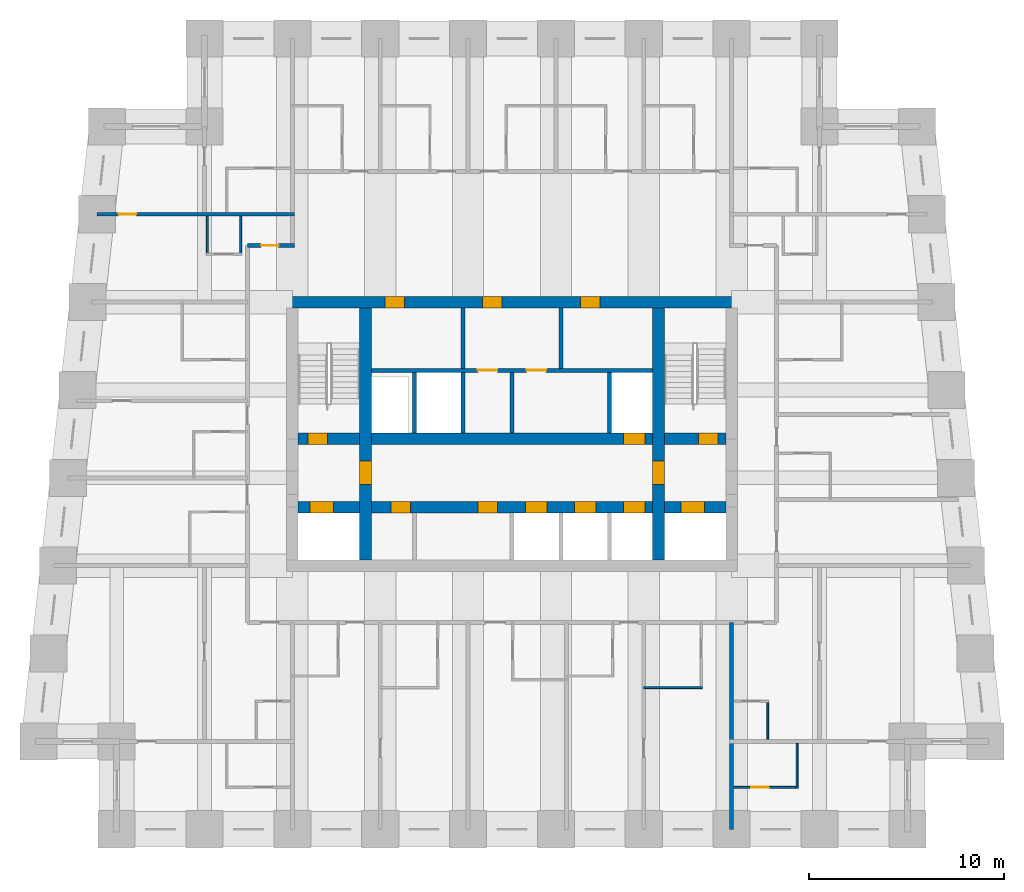
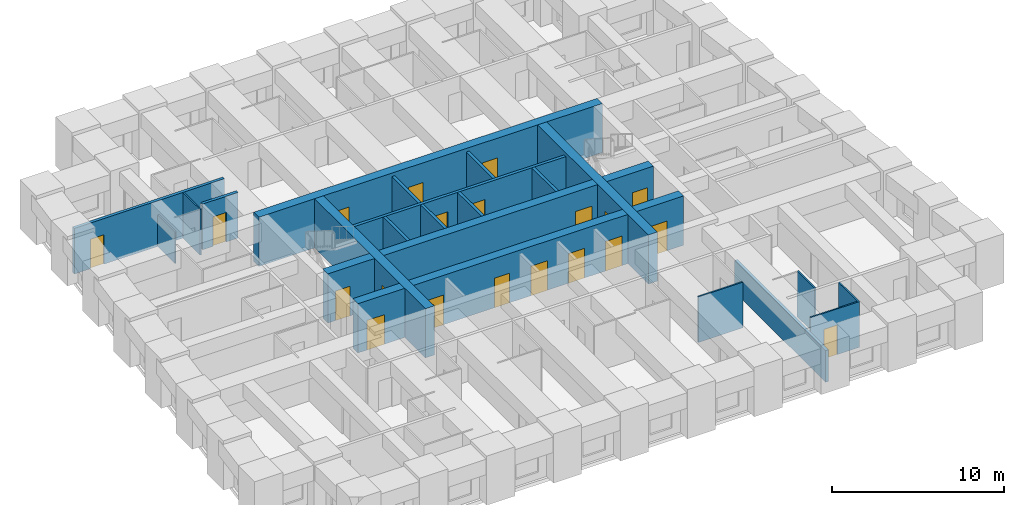
# One storey, part 4 of 8: 21 walls, 20 doors, 20 openings.
"""IFC4 building model written with IfcOpenShell, lengths in metres."""

from ifc_helpers import new_model, si_unit, direction, frame, frame_2d, origin, place, context, subcontext, project, spatial, rectangle, extrude, material, layer, layer_set, type_object, element, fill, save


model = new_model("IFC4")

# Units and contexts
model_context = context("Model", 3, precision=1e-05, world=origin(), true_north=direction((0.0, 1.0)))
body_context = subcontext(model_context, "Body", "Model", "MODEL_VIEW")
ifc_project = project(units=[si_unit("LENGTHUNIT", "METRE"), si_unit("AREAUNIT", "SQUARE_METRE"), si_unit("VOLUMEUNIT", "CUBIC_METRE"), si_unit("PLANEANGLEUNIT", "RADIAN"), si_unit("MASSUNIT", "GRAM", prefix="KILO")], contexts=[model_context])

# Site, building, storey
site_placement = place(None, origin())
site = spatial("IfcSite", under=ifc_project, at=site_placement, CompositionType="ELEMENT")
building_placement = place(site_placement, origin())
building = spatial("IfcBuilding", under=site, at=building_placement, Name="Kilele Tower Hotel", CompositionType="ELEMENT")
storey_placement = place(building_placement, frame((0.0, 0.0, 96.89990234375)))
storey = spatial("IfcBuildingStorey", under=building, at=storey_placement, Name="L24", CompositionType="ELEMENT", Elevation=96.89990234375)

# Walls
ifc_material_1 = material(Name="Moisture-resistant board")
ifc_layer_1 = layer(ifc_material_1, 0.10009765625)
ifc_layer_set_1 = layer_set([ifc_layer_1], Name="Moisture-resistant board")
wall_type_1 = type_object("IfcWallType", Name="Bathroom partition 100", PredefinedType="PLUMBINGWALL", material=ifc_layer_set_1)
wall_1_placement = place(storey_placement, frame((31.5, 7.25, 0.0), z_axis=(0.0, 0.0, 1.0), x_axis=(1.0, 0.0, 0.0)))
element("IfcWall", 1, at=wall_1_placement, inside=storey, type_object=wall_type_1, Name="Bathroom partition 100 L24", PredefinedType="PLUMBINGWALL", context=body_context, shape_type="SweptSolid", body=[
    extrude(rectangle(XDim=3.0, YDim=0.10009765625, at=frame_2d((1.5, 0.0))), origin(), (0.0, 0.0, 1.0), 3.25),
])
wall_2_placement = place(storey_placement, frame((37.85009765625, 4.60009765625, 0.0), z_axis=(0.0, 0.0, 1.0), x_axis=(0.0, 1.0, 0.0)))
element("IfcWall", 2, at=wall_2_placement, inside=storey, type_object=wall_type_1, Name="Bathroom partition 100 L24", PredefinedType="PLUMBINGWALL", context=body_context, shape_type="SweptSolid", body=[
    extrude(rectangle(XDim=2.0, YDim=0.10009765625, at=frame_2d((1.0, 0.0))), origin(), (0.0, 0.0, 1.0), 3.25),
])
wall_3_placement = place(storey_placement, frame((39.35009765625, 4.39990234375, 0.0), z_axis=(0.0, 0.0, 1.0), x_axis=(0.0, -1.0, 0.0)))
element("IfcWall", 3, at=wall_3_placement, inside=storey, type_object=wall_type_1, Name="Bathroom partition 100 L24", PredefinedType="PLUMBINGWALL", context=body_context, shape_type="SweptSolid", body=[
    extrude(rectangle(XDim=2.2998046875, YDim=0.10009765625, at=frame_2d((1.14990234375, 0.0))), origin(), (0.0, 0.0, 1.0), 3.25),
])

# Wall, opening, door
wall_4_placement = place(storey_placement, frame((36.10009765625, 2.14990234375, 0.0), z_axis=(0.0, 0.0, 1.0), x_axis=(1.0, 0.0, 0.0)))
wall_4 = element("IfcWall", 4, at=wall_4_placement, inside=storey, type_object=wall_type_1, Name="Bathroom partition 100 L24", PredefinedType="PLUMBINGWALL", context=body_context, shape_type="SweptSolid", body=[
    extrude(rectangle(XDim=3.2998046875, YDim=0.10009765625, at=frame_2d((1.64990234375, 0.0))), origin(), (0.0, 0.0, 1.0), 3.25),
])
opening_1_placement = place(wall_4_placement, frame((1.7998046875, 0.0, 0.0), z_axis=(0.0, 0.0, 1.0), x_axis=(-1.0, 0.0, 0.0)))
opening_1 = element("IfcOpeningElement", 5, at=opening_1_placement, cuts=wall_4, Name="Opening D2A", PredefinedType="OPENING", context=body_context, shape_type="SweptSolid", body=[
    extrude(rectangle(XDim=0.89990234375, YDim=2.10009765625, at=frame_2d((0.449951171875, 1.050048828125))), frame((0.0, 0.06005859375, 0.0), z_axis=(0.0, -1.0, 0.0), x_axis=(1.0, 0.0, 0.0)), (0.0, 0.0, 1.0), 0.1201171875),
])
ifc_material_2 = material(Name="Timber door leaf in hardwood frame", Category="wood")
door_type_1 = type_object("IfcDoorType", Name="Bathroom door 900", OperationType="SINGLE_SWING_LEFT", PredefinedType="DOOR", material=ifc_material_2)
door_1_placement = place(opening_1_placement, origin())
door_1 = element("IfcDoor", 6, at=door_1_placement, inside=storey, type_object=door_type_1, Name="Bathroom door 2422B", OperationType="SINGLE_SWING_RIGHT", OverallHeight=2.10009765625, OverallWidth=0.89990234375, PredefinedType="DOOR", context=body_context, shape_type="SweptSolid", body=[
    extrude(rectangle(XDim=0.89990234375, YDim=2.10009765625, at=frame_2d((0.449951171875, 1.050048828125))), frame((0.0, 0.02490234375, 0.0), z_axis=(0.0, -1.0, 0.0), x_axis=(1.0, 0.0, 0.0)), (0.0, 0.0, 1.0), 0.050048828125),
])
fill(opening_1, door_1)

# Walls
wall_5_placement = place(storey_placement, frame((9.14990234375, 31.39990234375, 0.0), z_axis=(0.0, 0.0, 1.0), x_axis=(0.0, -1.0, 0.0)))
element("IfcWall", 7, at=wall_5_placement, inside=storey, type_object=wall_type_1, Name="Bathroom partition 100 L24", PredefinedType="PLUMBINGWALL", context=body_context, shape_type="SweptSolid", body=[
    extrude(rectangle(XDim=2.0, YDim=0.10009765625, at=frame_2d((1.0, 0.0))), origin(), (0.0, 0.0, 1.0), 2.25),
])
wall_6_placement = place(storey_placement, frame((10.85009765625, 31.39990234375, 0.0), z_axis=(0.0, 0.0, 1.0), x_axis=(0.0, -1.0, 0.0)))
element("IfcWall", 8, at=wall_6_placement, inside=storey, type_object=wall_type_1, Name="Bathroom partition 100 L24", PredefinedType="PLUMBINGWALL", context=body_context, shape_type="SweptSolid", body=[
    extrude(rectangle(XDim=2.0, YDim=0.10009765625, at=frame_2d((1.0, 0.0))), origin(), (0.0, 0.0, 1.0), 3.25),
])

# Wall, openings, doors
ifc_material_3 = material(Name="Concrete C60/75", Category="concrete")
ifc_layer_2 = layer(ifc_material_3, 0.60009765625)
ifc_layer_set_2 = layer_set([ifc_layer_2], Name="Concrete C60/75")
wall_type_2 = type_object("IfcWallType", Name="Core wall 600 C60/75", PredefinedType="SHEAR", material=ifc_layer_set_2)
wall_7_placement = place(storey_placement, frame((36.300048828125, 27.0, 0.0), z_axis=(0.0, 0.0, 1.0), x_axis=(-1.0, 0.0, 0.0)))
wall_7 = element("IfcWall", 9, at=wall_7_placement, inside=storey, type_object=wall_type_2, Name="Core wall N L24", PredefinedType="SHEAR", context=body_context, shape_type="SweptSolid", body=[
    extrude(rectangle(XDim=23.10009765625, YDim=0.60009765625, at=frame_2d((11.550048828125, 0.0))), origin(), (0.0, 0.0, 1.0), 3.5),
])
opening_2_placement = place(wall_7_placement, frame((17.050048828125, 0.0, 0.0)))
opening_2 = element("IfcOpeningElement", 10, at=opening_2_placement, cuts=wall_7, Name="Opening D6", PredefinedType="OPENING", context=body_context, shape_type="SweptSolid", body=[
    extrude(rectangle(XDim=1.0, YDim=2.10009765625, at=frame_2d((0.5, 1.050048828125))), frame((0.0, 0.31005859375, 0.0), z_axis=(0.0, -1.0, 0.0), x_axis=(1.0, 0.0, 0.0)), (0.0, 0.0, 1.0), 0.6201171875),
])
opening_3_placement = place(wall_7_placement, frame((12.050048828125, 0.0, 0.0)))
opening_3 = element("IfcOpeningElement", 11, at=opening_3_placement, cuts=wall_7, Name="Opening D6", PredefinedType="OPENING", context=body_context, shape_type="SweptSolid", body=[
    extrude(rectangle(XDim=1.0, YDim=2.10009765625, at=frame_2d((0.5, 1.050048828125))), frame((0.0, 0.31005859375, 0.0), z_axis=(0.0, -1.0, 0.0), x_axis=(1.0, 0.0, 0.0)), (0.0, 0.0, 1.0), 0.6201171875),
])
opening_4_placement = place(wall_7_placement, frame((7.050048828125, 0.0, 0.0)))
opening_4 = element("IfcOpeningElement", 12, at=opening_4_placement, cuts=wall_7, Name="Opening D6", PredefinedType="OPENING", context=body_context, shape_type="SweptSolid", body=[
    extrude(rectangle(XDim=1.0, YDim=2.10009765625, at=frame_2d((0.5, 1.050048828125))), frame((0.0, 0.31005859375, 0.0), z_axis=(0.0, -1.0, 0.0), x_axis=(1.0, 0.0, 0.0)), (0.0, 0.0, 1.0), 0.6201171875),
])
ifc_material_4 = material(Name="Timber door leaf in hardwood frame", Category="wood")
door_type_2 = type_object("IfcDoorType", Name="Riser door 1000", OperationType="SINGLE_SWING_LEFT", PredefinedType="DOOR", material=ifc_material_4)
door_2_placement = place(opening_2_placement, origin())
door_2 = element("IfcDoor", 13, at=door_2_placement, inside=storey, type_object=door_type_2, Name="Service riser door L24", OperationType="SINGLE_SWING_RIGHT", OverallHeight=2.10009765625, OverallWidth=1.0, PredefinedType="DOOR", context=body_context, shape_type="SweptSolid", body=[
    extrude(rectangle(XDim=1.0, YDim=2.10009765625, at=frame_2d((0.5, 1.050048828125))), frame((0.0, 0.2998046875, 0.0), z_axis=(0.0, -1.0, 0.0), x_axis=(1.0, 0.0, 0.0)), (0.0, 0.0, 1.0), 0.599609375),
])
fill(opening_2, door_2)
door_3_placement = place(opening_3_placement, origin())
door_3 = element("IfcDoor", 14, at=door_3_placement, inside=storey, type_object=door_type_2, Name="Housekeeping store door L24", OperationType="SINGLE_SWING_RIGHT", OverallHeight=2.10009765625, OverallWidth=1.0, PredefinedType="DOOR", context=body_context, shape_type="SweptSolid", body=[
    extrude(rectangle(XDim=1.0, YDim=2.10009765625, at=frame_2d((0.5, 1.050048828125))), frame((0.0, 0.2998046875, 0.0), z_axis=(0.0, -1.0, 0.0), x_axis=(1.0, 0.0, 0.0)), (0.0, 0.0, 1.0), 0.599609375),
])
fill(opening_3, door_3)
door_4_placement = place(opening_4_placement, origin())
door_4 = element("IfcDoor", 15, at=door_4_placement, inside=storey, type_object=door_type_2, Name="Electrical riser door L24", OperationType="SINGLE_SWING_RIGHT", OverallHeight=2.10009765625, OverallWidth=1.0, PredefinedType="DOOR", context=body_context, shape_type="SweptSolid", body=[
    extrude(rectangle(XDim=1.0, YDim=2.10009765625, at=frame_2d((0.5, 1.050048828125))), frame((0.0, 0.2998046875, 0.0), z_axis=(0.0, -1.0, 0.0), x_axis=(1.0, 0.0, 0.0)), (0.0, 0.0, 1.0), 0.599609375),
])
fill(opening_4, door_4)

# Wall, opening, door
wall_8_placement = place(storey_placement, frame((17.25, 13.800048828125, 0.0), z_axis=(0.0, 0.0, 1.0), x_axis=(0.0, 1.0, 0.0)))
wall_8 = element("IfcWall", 16, at=wall_8_placement, inside=storey, type_object=wall_type_2, Name="Core wall IW L24", PredefinedType="SHEAR", context=body_context, shape_type="SweptSolid", body=[
    extrude(rectangle(XDim=12.89990234375, YDim=0.60009765625, at=frame_2d((6.449951171875, 0.0))), origin(), (0.0, 0.0, 1.0), 3.5),
])
opening_5_placement = place(wall_8_placement, frame((3.85009765625, 0.0, 0.0)))
opening_5 = element("IfcOpeningElement", 17, at=opening_5_placement, cuts=wall_8, Name="Opening D4", PredefinedType="OPENING", context=body_context, shape_type="SweptSolid", body=[
    extrude(rectangle(XDim=1.199951171875, YDim=2.10009765625, at=frame_2d((0.60009765625, 1.050048828125))), frame((0.0, 0.31005859375, 0.0), z_axis=(0.0, -1.0, 0.0), x_axis=(1.0, 0.0, 0.0)), (0.0, 0.0, 1.0), 0.6201171875),
])
ifc_material_5 = material(Name="Timber door leaf in hardwood frame", Category="wood")
door_type_3 = type_object("IfcDoorType", Name="Firefighting lobby door 1200", OperationType="SINGLE_SWING_LEFT", PredefinedType="DOOR", material=ifc_material_5)
door_5_placement = place(opening_5_placement, origin())
door_5 = element("IfcDoor", 18, at=door_5_placement, inside=storey, type_object=door_type_3, Name="Lobby door L24", OperationType="SINGLE_SWING_LEFT", OverallHeight=2.10009765625, OverallWidth=1.199951171875, PredefinedType="DOOR", context=body_context, shape_type="SweptSolid", body=[
    extrude(rectangle(XDim=1.199951171875, YDim=2.10009765625, at=frame_2d((0.60009765625, 1.050048828125))), frame((0.0, 0.2998046875, 0.0), z_axis=(0.0, -1.0, 0.0), x_axis=(1.0, 0.0, 0.0)), (0.0, 0.0, 1.0), 0.599609375),
])
fill(opening_5, door_5)

wall_9_placement = place(storey_placement, frame((32.25, 13.800048828125, 0.0), z_axis=(0.0, 0.0, 1.0), x_axis=(0.0, 1.0, 0.0)))
wall_9 = element("IfcWall", 19, at=wall_9_placement, inside=storey, type_object=wall_type_2, Name="Core wall IE L24", PredefinedType="SHEAR", context=body_context, shape_type="SweptSolid", body=[
    extrude(rectangle(XDim=12.89990234375, YDim=0.60009765625, at=frame_2d((6.449951171875, 0.0))), origin(), (0.0, 0.0, 1.0), 3.5),
])
opening_6_placement = place(wall_9_placement, frame((5.050048828125, 0.0, 0.0), z_axis=(0.0, 0.0, 1.0), x_axis=(-1.0, 0.0, 0.0)))
opening_6 = element("IfcOpeningElement", 20, at=opening_6_placement, cuts=wall_9, Name="Opening D4", PredefinedType="OPENING", context=body_context, shape_type="SweptSolid", body=[
    extrude(rectangle(XDim=1.199951171875, YDim=2.10009765625, at=frame_2d((0.60009765625, 1.050048828125))), frame((0.0, 0.31005859375, 0.0), z_axis=(0.0, -1.0, 0.0), x_axis=(1.0, 0.0, 0.0)), (0.0, 0.0, 1.0), 0.6201171875),
])
door_6_placement = place(opening_6_placement, origin())
door_6 = element("IfcDoor", 21, at=door_6_placement, inside=storey, type_object=door_type_3, Name="Lobby door L24", OperationType="SINGLE_SWING_RIGHT", OverallHeight=2.10009765625, OverallWidth=1.199951171875, PredefinedType="DOOR", context=body_context, shape_type="SweptSolid", body=[
    extrude(rectangle(XDim=1.199951171875, YDim=2.10009765625, at=frame_2d((0.60009765625, 1.050048828125))), frame((0.0, 0.2998046875, 0.0), z_axis=(0.0, -1.0, 0.0), x_axis=(1.0, 0.0, 0.0)), (0.0, 0.0, 1.0), 0.599609375),
])
fill(opening_6, door_6)

# Wall, openings, doors
wall_10_placement = place(storey_placement, frame((13.800048828125, 16.5, 0.0), z_axis=(0.0, 0.0, 1.0), x_axis=(1.0, 0.0, 0.0)))
wall_10 = element("IfcWall", 22, at=wall_10_placement, inside=storey, type_object=wall_type_2, Name="Core wall LS L24", PredefinedType="SHEAR", context=body_context, shape_type="SweptSolid", body=[
    extrude(rectangle(XDim=21.89990234375, YDim=0.60009765625, at=frame_2d((10.949951171875, 0.0))), origin(), (0.0, 0.0, 1.0), 3.5),
])
opening_7_placement = place(wall_10_placement, frame((11.64990234375, 0.0, 0.0)))
opening_7 = element("IfcOpeningElement", 23, at=opening_7_placement, cuts=wall_10, Name="Opening LD1", PredefinedType="OPENING", context=body_context, shape_type="SweptSolid", body=[
    extrude(rectangle(XDim=1.10009765625, YDim=2.10009765625, at=frame_2d((0.550048828125, 1.050048828125))), frame((0.0, 0.31005859375, 0.0), z_axis=(0.0, -1.0, 0.0), x_axis=(1.0, 0.0, 0.0)), (0.0, 0.0, 1.0), 0.6201171875),
])
opening_8_placement = place(wall_10_placement, frame((14.14990234375, 0.0, 0.0)))
opening_8 = element("IfcOpeningElement", 24, at=opening_8_placement, cuts=wall_10, Name="Opening LD1", PredefinedType="OPENING", context=body_context, shape_type="SweptSolid", body=[
    extrude(rectangle(XDim=1.10009765625, YDim=2.10009765625, at=frame_2d((0.550048828125, 1.050048828125))), frame((0.0, 0.31005859375, 0.0), z_axis=(0.0, -1.0, 0.0), x_axis=(1.0, 0.0, 0.0)), (0.0, 0.0, 1.0), 0.6201171875),
])
opening_9_placement = place(wall_10_placement, frame((16.64990234375, 0.0, 0.0)))
opening_9 = element("IfcOpeningElement", 25, at=opening_9_placement, cuts=wall_10, Name="Opening LD1", PredefinedType="OPENING", context=body_context, shape_type="SweptSolid", body=[
    extrude(rectangle(XDim=1.10009765625, YDim=2.10009765625, at=frame_2d((0.550048828125, 1.050048828125))), frame((0.0, 0.31005859375, 0.0), z_axis=(0.0, -1.0, 0.0), x_axis=(1.0, 0.0, 0.0)), (0.0, 0.0, 1.0), 0.6201171875),
])
opening_10_placement = place(wall_10_placement, frame((5.75, 0.0, 0.0), z_axis=(0.0, 0.0, 1.0), x_axis=(-1.0, 0.0, 0.0)))
opening_10 = element("IfcOpeningElement", 26, at=opening_10_placement, cuts=wall_10, Name="Opening D11", PredefinedType="OPENING", context=body_context, shape_type="SweptSolid", body=[
    extrude(rectangle(XDim=1.0, YDim=2.10009765625, at=frame_2d((0.5, 1.050048828125))), frame((0.0, 0.31005859375, 0.0), z_axis=(0.0, -1.0, 0.0), x_axis=(1.0, 0.0, 0.0)), (0.0, 0.0, 1.0), 0.6201171875),
])
opening_11_placement = place(wall_10_placement, frame((10.199951171875, 0.0, 0.0), z_axis=(0.0, 0.0, 1.0), x_axis=(-1.0, 0.0, 0.0)))
opening_11 = element("IfcOpeningElement", 27, at=opening_11_placement, cuts=wall_10, Name="Opening D11", PredefinedType="OPENING", context=body_context, shape_type="SweptSolid", body=[
    extrude(rectangle(XDim=1.0, YDim=2.10009765625, at=frame_2d((0.5, 1.050048828125))), frame((0.0, 0.31005859375, 0.0), z_axis=(0.0, -1.0, 0.0), x_axis=(1.0, 0.0, 0.0)), (0.0, 0.0, 1.0), 0.6201171875),
])
opening_12_placement = place(wall_10_placement, frame((0.60009765625, 0.0, 0.0)))
opening_12 = element("IfcOpeningElement", 28, at=opening_12_placement, cuts=wall_10, Name="Opening LD2", PredefinedType="OPENING", context=body_context, shape_type="SweptSolid", body=[
    extrude(rectangle(XDim=1.199951171875, YDim=2.10009765625, at=frame_2d((0.60009765625, 1.050048828125))), frame((0.0, 0.31005859375, 0.0), z_axis=(0.0, -1.0, 0.0), x_axis=(1.0, 0.0, 0.0)), (0.0, 0.0, 1.0), 0.6201171875),
])
opening_13_placement = place(wall_10_placement, frame((19.60009765625, 0.0, 0.0)))
opening_13 = element("IfcOpeningElement", 29, at=opening_13_placement, cuts=wall_10, Name="Opening LD2", PredefinedType="OPENING", context=body_context, shape_type="SweptSolid", body=[
    extrude(rectangle(XDim=1.199951171875, YDim=2.10009765625, at=frame_2d((0.60009765625, 1.050048828125))), frame((0.0, 0.31005859375, 0.0), z_axis=(0.0, -1.0, 0.0), x_axis=(1.0, 0.0, 0.0)), (0.0, 0.0, 1.0), 0.6201171875),
])
ifc_material_6 = material(Name="Timber door leaf in hardwood frame", Category="wood")
door_type_4 = type_object("IfcDoorType", Name="Core store door 1000", OperationType="SINGLE_SWING_LEFT", PredefinedType="DOOR", material=ifc_material_6)
door_7_placement = place(opening_10_placement, origin())
door_7 = element("IfcDoor", 30, at=door_7_placement, inside=storey, type_object=door_type_4, Name="Core room door L1 L24", OperationType="SINGLE_SWING_LEFT", OverallHeight=2.10009765625, OverallWidth=1.0, PredefinedType="DOOR", context=body_context, shape_type="SweptSolid", body=[
    extrude(rectangle(XDim=1.0, YDim=2.10009765625, at=frame_2d((0.5, 1.050048828125))), frame((0.0, 0.2998046875, 0.0), z_axis=(0.0, -1.0, 0.0), x_axis=(1.0, 0.0, 0.0)), (0.0, 0.0, 1.0), 0.599609375),
])
fill(opening_10, door_7)
door_8_placement = place(opening_11_placement, origin())
door_8 = element("IfcDoor", 31, at=door_8_placement, inside=storey, type_object=door_type_4, Name="Core room door L3 L24", OperationType="SINGLE_SWING_LEFT", OverallHeight=2.10009765625, OverallWidth=1.0, PredefinedType="DOOR", context=body_context, shape_type="SweptSolid", body=[
    extrude(rectangle(XDim=1.0, YDim=2.10009765625, at=frame_2d((0.5, 1.050048828125))), frame((0.0, 0.2998046875, 0.0), z_axis=(0.0, -1.0, 0.0), x_axis=(1.0, 0.0, 0.0)), (0.0, 0.0, 1.0), 0.599609375),
])
fill(opening_11, door_8)
ifc_material_7 = material(Name="Steel lift landing door", Category="steel")
door_type_5 = type_object("IfcDoorType", Name="Firefighting lift landing door 1200", OperationType="SLIDING_TO_LEFT", PredefinedType="DOOR", material=ifc_material_7)
door_9_placement = place(opening_12_placement, origin())
door_9 = element("IfcDoor", 32, at=door_9_placement, inside=storey, type_object=door_type_5, Name="Landing door FFW L24", OperationType="SLIDING_TO_LEFT", OverallHeight=2.10009765625, OverallWidth=1.199951171875, PredefinedType="DOOR", context=body_context, shape_type="SweptSolid", body=[
    extrude(rectangle(XDim=1.199951171875, YDim=2.10009765625, at=frame_2d((0.60009765625, 1.050048828125))), frame((0.0, 0.2998046875, 0.0), z_axis=(0.0, -1.0, 0.0), x_axis=(1.0, 0.0, 0.0)), (0.0, 0.0, 1.0), 0.599609375),
])
fill(opening_12, door_9)
door_10_placement = place(opening_13_placement, origin())
door_10 = element("IfcDoor", 33, at=door_10_placement, inside=storey, type_object=door_type_5, Name="Landing door FFE L24", OperationType="SLIDING_TO_LEFT", OverallHeight=2.10009765625, OverallWidth=1.199951171875, PredefinedType="DOOR", context=body_context, shape_type="SweptSolid", body=[
    extrude(rectangle(XDim=1.199951171875, YDim=2.10009765625, at=frame_2d((0.60009765625, 1.050048828125))), frame((0.0, 0.2998046875, 0.0), z_axis=(0.0, -1.0, 0.0), x_axis=(1.0, 0.0, 0.0)), (0.0, 0.0, 1.0), 0.599609375),
])
fill(opening_13, door_10)
ifc_material_8 = material(Name="Steel lift landing door", Category="steel")
door_type_6 = type_object("IfcDoorType", Name="Lift landing door 1100", OperationType="SLIDING_TO_LEFT", PredefinedType="DOOR", material=ifc_material_8)
door_11_placement = place(opening_7_placement, origin())
door_11 = element("IfcDoor", 34, at=door_11_placement, inside=storey, type_object=door_type_6, Name="Landing door M1 L24", OperationType="SLIDING_TO_LEFT", OverallHeight=2.10009765625, OverallWidth=1.10009765625, PredefinedType="DOOR", context=body_context, shape_type="SweptSolid", body=[
    extrude(rectangle(XDim=1.10009765625, YDim=2.10009765625, at=frame_2d((0.550048828125, 1.050048828125))), frame((0.0, 0.2998046875, 0.0), z_axis=(0.0, -1.0, 0.0), x_axis=(1.0, 0.0, 0.0)), (0.0, 0.0, 1.0), 0.599609375),
])
fill(opening_7, door_11)
door_12_placement = place(opening_8_placement, origin())
door_12 = element("IfcDoor", 35, at=door_12_placement, inside=storey, type_object=door_type_6, Name="Landing door M2 L24", OperationType="SLIDING_TO_LEFT", OverallHeight=2.10009765625, OverallWidth=1.10009765625, PredefinedType="DOOR", context=body_context, shape_type="SweptSolid", body=[
    extrude(rectangle(XDim=1.10009765625, YDim=2.10009765625, at=frame_2d((0.550048828125, 1.050048828125))), frame((0.0, 0.2998046875, 0.0), z_axis=(0.0, -1.0, 0.0), x_axis=(1.0, 0.0, 0.0)), (0.0, 0.0, 1.0), 0.599609375),
])
fill(opening_8, door_12)
door_13_placement = place(opening_9_placement, origin())
door_13 = element("IfcDoor", 36, at=door_13_placement, inside=storey, type_object=door_type_6, Name="Landing door M3 L24", OperationType="SLIDING_TO_LEFT", OverallHeight=2.10009765625, OverallWidth=1.10009765625, PredefinedType="DOOR", context=body_context, shape_type="SweptSolid", body=[
    extrude(rectangle(XDim=1.10009765625, YDim=2.10009765625, at=frame_2d((0.550048828125, 1.050048828125))), frame((0.0, 0.2998046875, 0.0), z_axis=(0.0, -1.0, 0.0), x_axis=(1.0, 0.0, 0.0)), (0.0, 0.0, 1.0), 0.599609375),
])
fill(opening_9, door_13)

wall_11_placement = place(storey_placement, frame((13.800048828125, 20.0, 0.0), z_axis=(0.0, 0.0, 1.0), x_axis=(1.0, 0.0, 0.0)))
wall_11 = element("IfcWall", 37, at=wall_11_placement, inside=storey, type_object=wall_type_2, Name="Core wall LN L24", PredefinedType="SHEAR", context=body_context, shape_type="SweptSolid", body=[
    extrude(rectangle(XDim=21.89990234375, YDim=0.60009765625, at=frame_2d((10.949951171875, 0.0))), origin(), (0.0, 0.0, 1.0), 3.5),
])
opening_14_placement = place(wall_11_placement, frame((0.5, 0.0, 0.0)))
opening_14 = element("IfcOpeningElement", 38, at=opening_14_placement, cuts=wall_11, Name="Opening D5", PredefinedType="OPENING", context=body_context, shape_type="SweptSolid", body=[
    extrude(rectangle(XDim=1.0, YDim=2.10009765625, at=frame_2d((0.5, 1.050048828125))), frame((0.0, 0.31005859375, 0.0), z_axis=(0.0, -1.0, 0.0), x_axis=(1.0, 0.0, 0.0)), (0.0, 0.0, 1.0), 0.6201171875),
])
opening_15_placement = place(wall_11_placement, frame((20.5, 0.0, 0.0)))
opening_15 = element("IfcOpeningElement", 39, at=opening_15_placement, cuts=wall_11, Name="Opening D5", PredefinedType="OPENING", context=body_context, shape_type="SweptSolid", body=[
    extrude(rectangle(XDim=1.0, YDim=2.10009765625, at=frame_2d((0.5, 1.050048828125))), frame((0.0, 0.31005859375, 0.0), z_axis=(0.0, -1.0, 0.0), x_axis=(1.0, 0.0, 0.0)), (0.0, 0.0, 1.0), 0.6201171875),
])
opening_16_placement = place(wall_11_placement, frame((16.64990234375, 0.0, 0.0)))
opening_16 = element("IfcOpeningElement", 40, at=opening_16_placement, cuts=wall_11, Name="Opening LD1", PredefinedType="OPENING", context=body_context, shape_type="SweptSolid", body=[
    extrude(rectangle(XDim=1.10009765625, YDim=2.10009765625, at=frame_2d((0.550048828125, 1.050048828125))), frame((0.0, 0.31005859375, 0.0), z_axis=(0.0, -1.0, 0.0), x_axis=(1.0, 0.0, 0.0)), (0.0, 0.0, 1.0), 0.6201171875),
])
door_14_placement = place(opening_16_placement, origin())
door_14 = element("IfcDoor", 41, at=door_14_placement, inside=storey, type_object=door_type_6, Name="Landing door G1 L24", OperationType="SLIDING_TO_LEFT", OverallHeight=2.10009765625, OverallWidth=1.10009765625, PredefinedType="DOOR", context=body_context, shape_type="SweptSolid", body=[
    extrude(rectangle(XDim=1.10009765625, YDim=2.10009765625, at=frame_2d((0.550048828125, 1.050048828125))), frame((0.0, 0.2998046875, 0.0), z_axis=(0.0, -1.0, 0.0), x_axis=(1.0, 0.0, 0.0)), (0.0, 0.0, 1.0), 0.599609375),
])
fill(opening_16, door_14)
ifc_material_9 = material(Name="Timber door leaf in hardwood frame", Category="wood")
door_type_7 = type_object("IfcDoorType", Name="Stair door 1000", OperationType="SINGLE_SWING_LEFT", PredefinedType="DOOR", material=ifc_material_9)
door_15_placement = place(opening_14_placement, origin())
door_15 = element("IfcDoor", 42, at=door_15_placement, inside=storey, type_object=door_type_7, Name="Stair 1 door L24", OperationType="SINGLE_SWING_LEFT", OverallHeight=2.10009765625, OverallWidth=1.0, PredefinedType="DOOR", context=body_context, shape_type="SweptSolid", body=[
    extrude(rectangle(XDim=1.0, YDim=2.10009765625, at=frame_2d((0.5, 1.050048828125))), frame((0.0, 0.2998046875, 0.0), z_axis=(0.0, -1.0, 0.0), x_axis=(1.0, 0.0, 0.0)), (0.0, 0.0, 1.0), 0.599609375),
])
fill(opening_14, door_15)
door_16_placement = place(opening_15_placement, origin())
door_16 = element("IfcDoor", 43, at=door_16_placement, inside=storey, type_object=door_type_7, Name="Stair 2 door L24", OperationType="SINGLE_SWING_RIGHT", OverallHeight=2.10009765625, OverallWidth=1.0, PredefinedType="DOOR", context=body_context, shape_type="SweptSolid", body=[
    extrude(rectangle(XDim=1.0, YDim=2.10009765625, at=frame_2d((0.5, 1.050048828125))), frame((0.0, 0.2998046875, 0.0), z_axis=(0.0, -1.0, 0.0), x_axis=(1.0, 0.0, 0.0)), (0.0, 0.0, 1.0), 0.599609375),
])
fill(opening_15, door_16)

# Wall, opening, door
ifc_material_10 = material(Name="Blockwork, plastered both sides", Category="masonry")
ifc_layer_3 = layer(ifc_material_10, 0.199951171875)
ifc_layer_set_3 = layer_set([ifc_layer_3], Name="Blockwork, plastered both sides")
wall_type_3 = type_object("IfcWallType", Name="Corridor wall 200", PredefinedType="PARTITIONING", material=ifc_layer_set_3)
wall_12_placement = place(storey_placement, frame((11.199951171875, 29.89990234375, 0.0), z_axis=(0.0, 0.0, 1.0), x_axis=(1.0, 0.0, 0.0)))
wall_12 = element("IfcWall", 44, at=wall_12_placement, inside=storey, type_object=wall_type_3, Name="Corridor wall 200 L24", PredefinedType="PARTITIONING", context=body_context, shape_type="SweptSolid", body=[
    extrude(rectangle(XDim=2.400146484375, YDim=0.199951171875, at=frame_2d((1.2001953125, 0.0))), origin(), (0.0, 0.0, 1.0), 3.25),
])
opening_17_placement = place(wall_12_placement, frame((0.699951171875, 0.0, 0.0)))
opening_17 = element("IfcOpeningElement", 45, at=opening_17_placement, cuts=wall_12, Name="Opening D1", PredefinedType="OPENING", context=body_context, shape_type="SweptSolid", body=[
    extrude(rectangle(XDim=0.89990234375, YDim=2.10009765625, at=frame_2d((0.449951171875, 1.050048828125))), frame((0.0, 0.10986328125, 0.0), z_axis=(0.0, -1.0, 0.0), x_axis=(1.0, 0.0, 0.0)), (0.0, 0.0, 1.0), 0.219970703125),
])
ifc_material_11 = material(Name="Timber door leaf in hardwood frame", Category="wood")
door_type_8 = type_object("IfcDoorType", Name="Guest room entrance door 900", OperationType="SINGLE_SWING_LEFT", PredefinedType="DOOR", material=ifc_material_11)
door_17_placement = place(opening_17_placement, origin())
door_17 = element("IfcDoor", 46, at=door_17_placement, inside=storey, type_object=door_type_8, Name="Room entrance 2426", OperationType="SINGLE_SWING_RIGHT", OverallHeight=2.10009765625, OverallWidth=0.89990234375, PredefinedType="DOOR", context=body_context, shape_type="SweptSolid", body=[
    extrude(rectangle(XDim=0.89990234375, YDim=2.10009765625, at=frame_2d((0.449951171875, 1.050048828125))), frame((0.0, 0.02490234375, 0.0), z_axis=(0.0, -1.0, 0.0), x_axis=(1.0, 0.0, 0.0)), (0.0, 0.0, 1.0), 0.050048828125),
])
fill(opening_17, door_17)

# Wall
ifc_material_12 = material(Name="Blockwork, plastered both sides", Category="masonry")
ifc_layer_4 = layer(ifc_material_12, 0.199951171875)
ifc_layer_set_4 = layer_set([ifc_layer_4], Name="Blockwork, plastered both sides")
wall_type_4 = type_object("IfcWallType", Name="Party wall 200", PredefinedType="PARTITIONING", material=ifc_layer_set_4)
wall_13_placement = place(storey_placement, frame((36.0, 10.60009765625, 0.0), z_axis=(0.0, 0.0, 1.0), x_axis=(0.0, -1.0, 0.0)))
element("IfcWall", 47, at=wall_13_placement, inside=storey, type_object=wall_type_4, Name="Party wall 200 L24", PredefinedType="PARTITIONING", context=body_context, shape_type="SweptSolid", body=[
    extrude(rectangle(XDim=10.60009765625, YDim=0.199951171875, at=frame_2d((5.300048828125, 0.0))), origin(), (0.0, 0.0, 1.0), 2.25),
])

# Wall, opening, door
wall_14_placement = place(storey_placement, frame((13.60009765625, 31.5, 0.0), z_axis=(0.0, 0.0, 1.0), x_axis=(-1.0, 0.0, 0.0)))
wall_14 = element("IfcWall", 48, at=wall_14_placement, inside=storey, type_object=wall_type_4, Name="Party wall 200 L24", PredefinedType="PARTITIONING", context=body_context, shape_type="SweptSolid", body=[
    extrude(rectangle(XDim=10.09912109375, YDim=0.199951171875, at=frame_2d((5.049560546875, 0.0))), origin(), (0.0, 0.0, 1.0), 3.25),
])
opening_18_placement = place(wall_14_placement, frame((8.9990234375, 0.0, 0.0), z_axis=(0.0, 0.0, 1.0), x_axis=(-1.0, 0.0, 0.0)))
opening_18 = element("IfcOpeningElement", 49, at=opening_18_placement, cuts=wall_14, Name="Opening D3", PredefinedType="OPENING", context=body_context, shape_type="SweptSolid", body=[
    extrude(rectangle(XDim=0.89990234375, YDim=2.10009765625, at=frame_2d((0.449951171875, 1.050048828125))), frame((0.0, 0.10986328125, 0.0), z_axis=(0.0, -1.0, 0.0), x_axis=(1.0, 0.0, 0.0)), (0.0, 0.0, 1.0), 0.219970703125),
])
ifc_material_13 = material(Name="Timber door leaf in hardwood frame", Category="wood")
door_type_9 = type_object("IfcDoorType", Name="Suite internal door 900", OperationType="SINGLE_SWING_LEFT", PredefinedType="DOOR", material=ifc_material_13)
door_18_placement = place(opening_18_placement, origin())
door_18 = element("IfcDoor", 50, at=door_18_placement, inside=storey, type_object=door_type_9, Name="Suite door 2427", OperationType="SINGLE_SWING_LEFT", OverallHeight=2.10009765625, OverallWidth=0.89990234375, PredefinedType="DOOR", context=body_context, shape_type="SweptSolid", body=[
    extrude(rectangle(XDim=0.89990234375, YDim=2.10009765625, at=frame_2d((0.449951171875, 1.050048828125))), frame((0.0, 0.02490234375, 0.0), z_axis=(0.0, -1.0, 0.0), x_axis=(1.0, 0.0, 0.0)), (0.0, 0.0, 1.0), 0.050048828125),
])
fill(opening_18, door_18)

# Walls
ifc_material_14 = material(Name="Blockwork, fire-rated", Category="masonry")
ifc_layer_5 = layer(ifc_material_14, 0.199951171875)
ifc_layer_set_5 = layer_set([ifc_layer_5], Name="Blockwork, fire-rated")
wall_type_5 = type_object("IfcWallType", Name="Shaft wall 200", PredefinedType="PARTITIONING", material=ifc_layer_set_5)
for number, where, z_axis, x_axis, name in (
    (51, (19.75, 20.300048828125, 0.0), (0.0, 0.0, 1.0), (0.0, 1.0, 0.0), "Shaft wall 200 L24"),
    (52, (22.25, 20.300048828125, 0.0), (0.0, 0.0, 1.0), (0.0, 1.0, 0.0), "Shaft wall 200 L24"),
    (53, (24.75, 20.300048828125, 0.0), (0.0, 0.0, 1.0), (0.0, 1.0, 0.0), "Shaft wall 200 L24"),
    (54, (29.75, 20.300048828125, 0.0), (0.0, 0.0, 1.0), (0.0, 1.0, 0.0), "Shaft wall 200 L24"),
):
    element("IfcWall", number, at=place(storey_placement, frame(where, z_axis=z_axis, x_axis=x_axis)), inside=storey, type_object=wall_type_5, Name=name, PredefinedType="PARTITIONING", context=body_context, shape_type="SweptSolid", body=[
        extrude(rectangle(XDim=3.099853515625, YDim=0.199951171875, at=frame_2d((1.5498046875, 0.0))), origin(), (0.0, 0.0, 1.0), 3.25),
    ])

# Wall, openings, doors
wall_15_placement = place(storey_placement, frame((17.550048828125, 23.5, 0.0), z_axis=(0.0, 0.0, 1.0), x_axis=(1.0, 0.0, 0.0)))
wall_15 = element("IfcWall", 55, at=wall_15_placement, inside=storey, type_object=wall_type_5, Name="Shaft wall 200 L24", PredefinedType="PARTITIONING", context=body_context, shape_type="SweptSolid", body=[
    extrude(rectangle(XDim=14.39990234375, YDim=0.199951171875, at=frame_2d((7.199951171875, 0.0))), origin(), (0.0, 0.0, 1.0), 3.25),
])
opening_19_placement = place(wall_15_placement, frame((6.449951171875, 0.0, 0.0), z_axis=(0.0, 0.0, 1.0), x_axis=(-1.0, 0.0, 0.0)))
opening_19 = element("IfcOpeningElement", 56, at=opening_19_placement, cuts=wall_15, Name="Opening D11", PredefinedType="OPENING", context=body_context, shape_type="SweptSolid", body=[
    extrude(rectangle(XDim=1.0, YDim=2.10009765625, at=frame_2d((0.5, 1.050048828125))), frame((0.0, 0.10986328125, 0.0), z_axis=(0.0, -1.0, 0.0), x_axis=(1.0, 0.0, 0.0)), (0.0, 0.0, 1.0), 0.219970703125),
])
opening_20_placement = place(wall_15_placement, frame((7.949951171875, 0.0, 0.0)))
opening_20 = element("IfcOpeningElement", 57, at=opening_20_placement, cuts=wall_15, Name="Opening D11", PredefinedType="OPENING", context=body_context, shape_type="SweptSolid", body=[
    extrude(rectangle(XDim=1.0, YDim=2.10009765625, at=frame_2d((0.5, 1.050048828125))), frame((0.0, 0.10986328125, 0.0), z_axis=(0.0, -1.0, 0.0), x_axis=(1.0, 0.0, 0.0)), (0.0, 0.0, 1.0), 0.219970703125),
])
door_19_placement = place(opening_19_placement, origin())
door_19 = element("IfcDoor", 58, at=door_19_placement, inside=storey, type_object=door_type_4, Name="Core room door H1", OperationType="SINGLE_SWING_RIGHT", OverallHeight=2.10009765625, OverallWidth=1.0, PredefinedType="DOOR", context=body_context, shape_type="SweptSolid", body=[
    extrude(rectangle(XDim=1.0, YDim=2.10009765625, at=frame_2d((0.5, 1.050048828125))), frame((0.0, 0.02490234375, 0.0), z_axis=(0.0, -1.0, 0.0), x_axis=(1.0, 0.0, 0.0)), (0.0, 0.0, 1.0), 0.050048828125),
])
fill(opening_19, door_19)
door_20_placement = place(opening_20_placement, origin())
door_20 = element("IfcDoor", 59, at=door_20_placement, inside=storey, type_object=door_type_4, Name="Core room door H2", OperationType="SINGLE_SWING_RIGHT", OverallHeight=2.10009765625, OverallWidth=1.0, PredefinedType="DOOR", context=body_context, shape_type="SweptSolid", body=[
    extrude(rectangle(XDim=1.0, YDim=2.10009765625, at=frame_2d((0.5, 1.050048828125))), frame((0.0, 0.02490234375, 0.0), z_axis=(0.0, -1.0, 0.0), x_axis=(1.0, 0.0, 0.0)), (0.0, 0.0, 1.0), 0.050048828125),
])
fill(opening_20, door_20)

# Walls
for number, where, z_axis, x_axis, name in (
    (60, (22.25, 23.60009765625, 0.0), (0.0, 0.0, 1.0), (0.0, 1.0, 0.0), "Shaft wall 200 L24"),
    (61, (27.25, 23.60009765625, 0.0), (0.0, 0.0, 1.0), (0.0, 1.0, 0.0), "Shaft wall 200 L24"),
):
    element("IfcWall", number, at=place(storey_placement, frame(where, z_axis=z_axis, x_axis=x_axis)), inside=storey, type_object=wall_type_5, Name=name, PredefinedType="PARTITIONING", context=body_context, shape_type="SweptSolid", body=[
        extrude(rectangle(XDim=3.099853515625, YDim=0.199951171875, at=frame_2d((1.5498046875, 0.0))), origin(), (0.0, 0.0, 1.0), 3.25),
    ])

save(model, "model.ifc")
